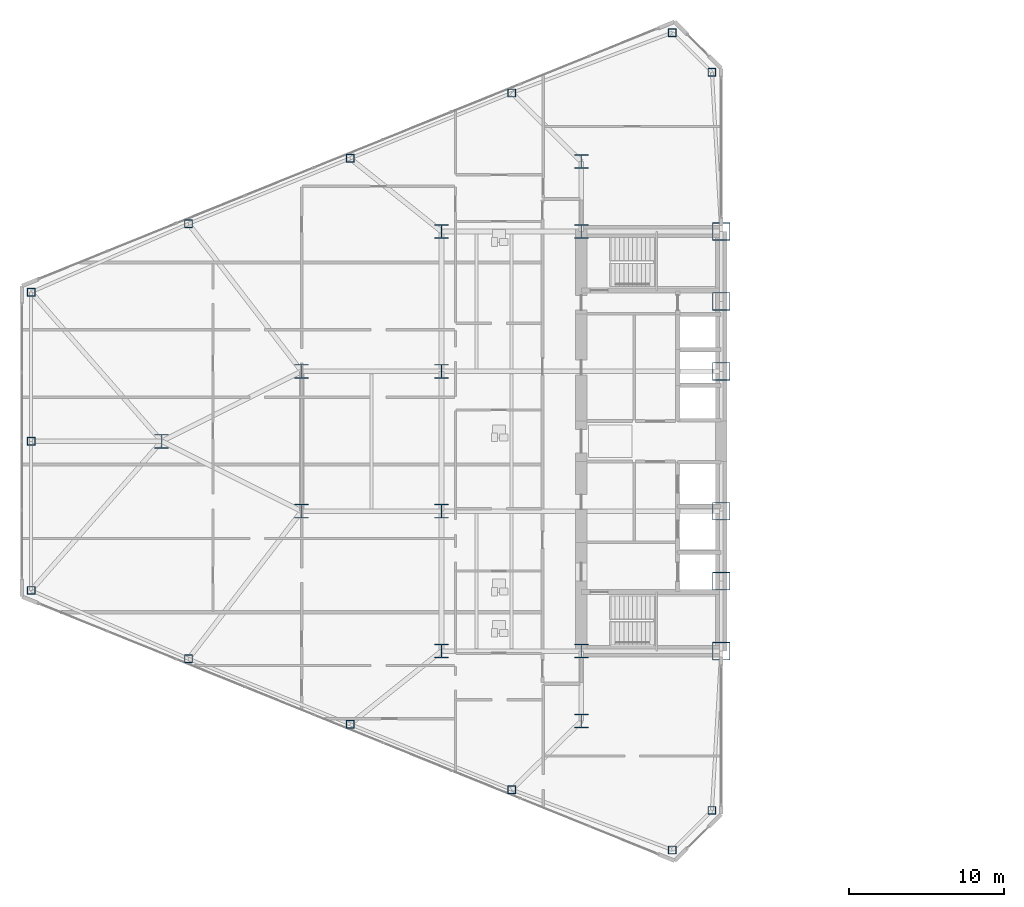
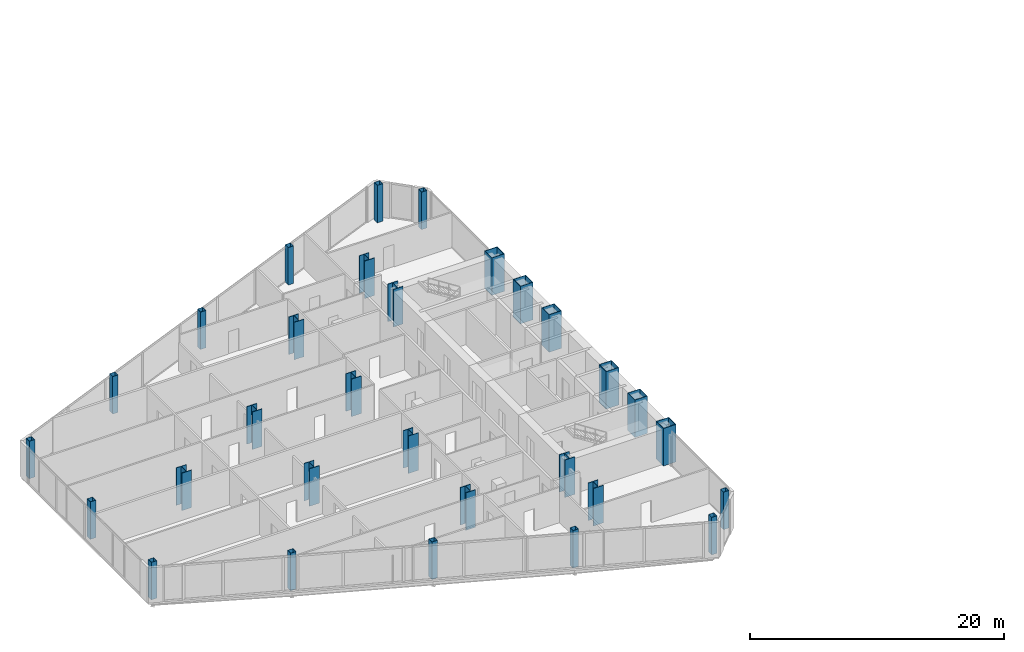
# One storey, part 1 of 25: 30 columns.
"""IFC4 building model written with IfcOpenShell, lengths in metres."""

from ifc_helpers import new_model, si_unit, direction, frame, origin, origin_2d, place, context, subcontext, project, spatial, hollow_rectangle, i_section, extrude, source, transform, mapped, material, material_profile, profile_set, type_object, type_shapes, element, save


model = new_model("IFC4")

# Units and contexts
model_context = context("Model", 3, precision=1e-05, world=origin(), true_north=direction((0.0, 1.0)))
body_context = subcontext(model_context, "Body", "Model", "MODEL_VIEW")
ifc_project = project(units=[si_unit("LENGTHUNIT", "METRE"), si_unit("AREAUNIT", "SQUARE_METRE"), si_unit("VOLUMEUNIT", "CUBIC_METRE"), si_unit("PLANEANGLEUNIT", "RADIAN"), si_unit("MASSUNIT", "GRAM", prefix="KILO")], contexts=[model_context])

# Site, building, storey
site_placement = place(None, origin())
site = spatial("IfcSite", under=ifc_project, at=site_placement, CompositionType="ELEMENT")
building_placement = place(site_placement, origin())
building = spatial("IfcBuilding", under=site, at=building_placement, Name="Seokmaru Belvedere", CompositionType="ELEMENT")
storey_placement = place(building_placement, frame((0.0, 0.0, 40.5)))
storey = spatial("IfcBuildingStorey", under=building, at=storey_placement, Name="L10", CompositionType="ELEMENT", Elevation=40.5)

# Columns
ifc_material_1 = material(Name="Steel HSA650 (650 MPa)", Category="steel")
ifc_material_profile_1 = material_profile(ifc_material_1, hollow_rectangle(XDim=1.14990234375, YDim=1.14990234375, WallThickness=0.048095703125, at=origin_2d()), Name="BOX-1150x1150x48")
ifc_profile_set_1 = profile_set([ifc_material_profile_1], Name="Steel HSA650 (650 MPa)")
column_type_1 = type_object("IfcColumnType", Name="Portal Spine Column BOX-1150", PredefinedType="COLUMN", material=ifc_profile_set_1)
shared_shape_1 = source(origin(), body_context, "Body", "SweptSolid", [
    extrude(hollow_rectangle(XDim=1.14990234375, YDim=1.14990234375, WallThickness=0.048095703125, at=origin_2d()), origin(), (0.0, 0.0, 1.0), 3.60009765625),
])
type_shapes(column_type_1, [shared_shape_1])
for number, where, z_axis, x_axis, name in (
    (1, (-27.5, -13.5, 0.0), (0.0, 0.0, 1.0), (1.0, 0.0, 0.0), "L10 Column WS1"),
    (2, (-27.5, -9.0, 0.0), (0.0, 0.0, 1.0), (1.0, 0.0, 0.0), "L10 Column WS2"),
    (3, (-27.5, -4.5, 0.0), (0.0, 0.0, 1.0), (1.0, 0.0, 0.0), "L10 Column WS3"),
    (4, (-27.5, 4.5, 0.0), (0.0, 0.0, 1.0), (1.0, 0.0, 0.0), "L10 Column WS4"),
    (5, (-27.5, 9.0, 0.0), (0.0, 0.0, 1.0), (1.0, 0.0, 0.0), "L10 Column WS5"),
    (6, (-27.5, 13.5, 0.0), (0.0, 0.0, 1.0), (1.0, 0.0, 0.0), "L10 Column WS6"),
):
    element("IfcColumn", number, at=place(storey_placement, frame(where, z_axis=z_axis, x_axis=x_axis)), inside=storey, type_object=column_type_1, Name=name, PredefinedType="COLUMN", context=body_context, shape_type="MappedRepresentation", body=[
        mapped(shared_shape_1, transform((0.0, 0.0, 0.0), scale=1.0)),
    ])
ifc_material_profile_2 = material_profile(ifc_material_1, i_section(OverallWidth=0.89990234375, OverallDepth=0.89990234375, WebThickness=0.035888671875, FlangeThickness=0.054931640625, at=origin_2d()), Name="H-900x900x36x55")
ifc_profile_set_2 = profile_set([ifc_material_profile_2], Name="Steel HSA650 (650 MPa)")
column_type_2 = type_object("IfcColumnType", Name="Lower Interior Column H-900", PredefinedType="COLUMN", material=ifc_profile_set_2)
shared_shape_2 = source(origin(), body_context, "Body", "SweptSolid", [
    extrude(i_section(OverallWidth=0.89990234375, OverallDepth=0.89990234375, WebThickness=0.035888671875, FlangeThickness=0.054931640625, at=origin_2d()), origin(), (0.0, 0.0, 1.0), 3.60009765625),
])
type_shapes(column_type_2, [shared_shape_2])
for number, where, z_axis, x_axis, name in (
    (7, (-36.5, -18.0, 0.0), (0.0, 0.0, 1.0), (1.0, 0.0, 0.0), "L10 Column WC1"),
    (8, (-36.5, -13.5, 0.0), (0.0, 0.0, 1.0), (1.0, 0.0, 0.0), "L10 Column WC2"),
    (9, (-36.5, 13.5, 0.0), (0.0, 0.0, 1.0), (1.0, 0.0, 0.0), "L10 Column WC3"),
    (10, (-36.5, 18.0, 0.0), (0.0, 0.0, 1.0), (1.0, 0.0, 0.0), "L10 Column WC4"),
    (11, (-45.5, -13.5, 0.0), (0.0, 0.0, 1.0), (1.0, 0.0, 0.0), "L10 Column WG5_1"),
    (12, (-45.5, -4.5, 0.0), (0.0, 0.0, 1.0), (1.0, 0.0, 0.0), "L10 Column WG5_2"),
    (13, (-45.5, 4.5, 0.0), (0.0, 0.0, 1.0), (1.0, 0.0, 0.0), "L10 Column WG5_3"),
    (14, (-45.5, 13.5, 0.0), (0.0, 0.0, 1.0), (1.0, 0.0, 0.0), "L10 Column WG5_4"),
    (15, (-54.5, -4.5, 0.0), (0.0, 0.0, 1.0), (1.0, 0.0, 0.0), "L10 Column WG4P_1"),
    (16, (-54.5, 4.5, 0.0), (0.0, 0.0, 1.0), (1.0, 0.0, 0.0), "L10 Column WG4P_2"),
    (17, (-63.5, 0.0, 0.0), (0.0, 0.0, 1.0), (1.0, 0.0, 0.0), "L10 Column WG3P_1"),
):
    element("IfcColumn", number, at=place(storey_placement, frame(where, z_axis=z_axis, x_axis=x_axis)), inside=storey, type_object=column_type_2, Name=name, PredefinedType="COLUMN", context=body_context, shape_type="MappedRepresentation", body=[
        mapped(shared_shape_2, transform((0.0, 0.0, 0.0), scale=1.0)),
    ])
ifc_material_2 = material(Name="Steel SM355 (355 MPa)", Category="steel")
ifc_material_profile_3 = material_profile(ifc_material_2, hollow_rectangle(XDim=0.5, YDim=0.5, WallThickness=0.02001953125, at=origin_2d()), Name="HSS-500x500x20")
ifc_profile_set_3 = profile_set([ifc_material_profile_3], Name="Steel SM355 (355 MPa)")
column_type_3 = type_object("IfcColumnType", Name="Perimeter Facet Column HSS-500", PredefinedType="COLUMN", material=ifc_profile_set_3)
shared_shape_3 = source(origin(), body_context, "Body", "SweptSolid", [
    extrude(hollow_rectangle(XDim=0.5, YDim=0.5, WallThickness=0.02001953125, at=origin_2d()), origin(), (0.0, 0.0, 1.0), 3.60009765625),
])
type_shapes(column_type_3, [shared_shape_3])
for number, where, z_axis, x_axis, name in (
    (18, (-28.10009765625, -23.75146484375, 0.0), (0.0, 0.0, 1.0), (1.0, 0.0, 0.0), "L10 Column WF1"),
    (19, (-28.10009765625, 23.75146484375, 0.0), (0.0, 0.0, 1.0), (1.0, 0.0, 0.0), "L10 Column WF2"),
    (20, (-30.643310546875, 26.294677734375, 0.0), (0.0, 0.0, 1.0), (1.0, 0.0, 0.0), "L10 Column WF3"),
    (21, (-71.89990234375, 9.595703125, 0.0), (0.0, 0.0, 1.0), (1.0, 0.0, 0.0), "L10 Column WF4"),
    (22, (-71.89990234375, -9.595703125, 0.0), (0.0, 0.0, 1.0), (1.0, 0.0, 0.0), "L10 Column WF5"),
    (23, (-30.643310546875, -26.294677734375, 0.0), (0.0, 0.0, 1.0), (1.0, 0.0, 0.0), "L10 Column WF6"),
    (24, (-40.977294921875, -22.4140625, 0.0), (0.0, 0.0, 1.0), (1.0, 0.0, 0.0), "L10 Column WFLK_S1"),
    (25, (-51.378173828125, -18.2041015625, 0.0), (0.0, 0.0, 1.0), (1.0, 0.0, 0.0), "L10 Column WFLK_S2"),
    (26, (-61.779052734375, -13.994140625, 0.0), (0.0, 0.0, 1.0), (1.0, 0.0, 0.0), "L10 Column WFLK_S3"),
    (27, (-40.977294921875, 22.4140625, 0.0), (0.0, 0.0, 1.0), (1.0, 0.0, 0.0), "L10 Column WFLK_N1"),
    (28, (-51.378173828125, 18.2041015625, 0.0), (0.0, 0.0, 1.0), (1.0, 0.0, 0.0), "L10 Column WFLK_N2"),
    (29, (-61.779052734375, 13.994140625, 0.0), (0.0, 0.0, 1.0), (1.0, 0.0, 0.0), "L10 Column WFLK_N3"),
    (30, (-71.89990234375, 0.0, 0.0), (0.0, 0.0, 1.0), (1.0, 0.0, 0.0), "L10 Column WF_APXM"),
):
    element("IfcColumn", number, at=place(storey_placement, frame(where, z_axis=z_axis, x_axis=x_axis)), inside=storey, type_object=column_type_3, Name=name, PredefinedType="COLUMN", context=body_context, shape_type="MappedRepresentation", body=[
        mapped(shared_shape_3, transform((0.0, 0.0, 0.0), scale=1.0)),
    ])

save(model, "model.ifc")
